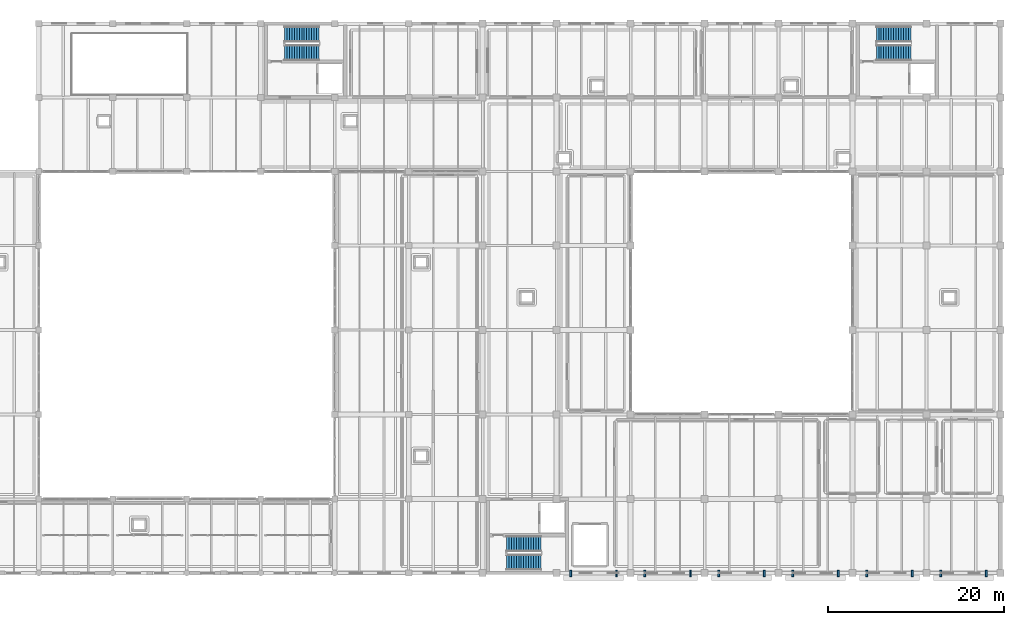
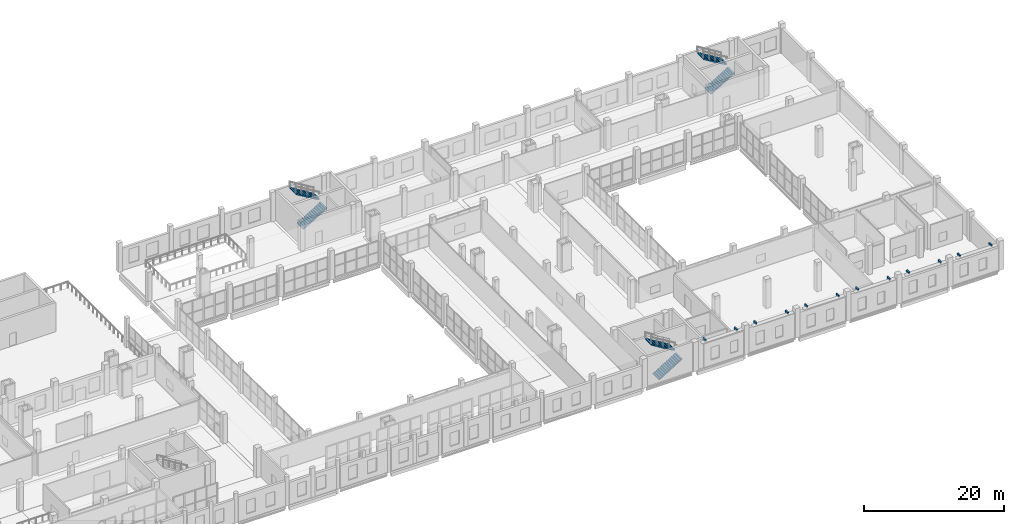
# One storey, part 64 of 73: 12 discrete accessories, 6 stair flights, 3 elements without a shape of their own.
"""IFC4 building model written with IfcOpenShell, lengths in metres."""

from ifc_helpers import new_model, si_unit, direction, frame, origin, origin_2d, place, context, subcontext, project, spatial, polyline, rectangle, outline, extrude, material, type_object, element, aggregate, save


model = new_model("IFC4")

# Units and contexts
model_context = context("Model", 3, precision=1e-05, world=origin(), true_north=direction((0.0, 1.0)))
body_context = subcontext(model_context, "Body", "Model", "MODEL_VIEW")
ifc_project = project(units=[si_unit("LENGTHUNIT", "METRE"), si_unit("AREAUNIT", "SQUARE_METRE"), si_unit("VOLUMEUNIT", "CUBIC_METRE"), si_unit("PLANEANGLEUNIT", "RADIAN"), si_unit("MASSUNIT", "GRAM", prefix="KILO")], contexts=[model_context])

# Site, building, storey
site_placement = place(None, origin())
site = spatial("IfcSite", under=ifc_project, at=site_placement, CompositionType="ELEMENT")
building_placement = place(site_placement, origin())
building = spatial("IfcBuilding", under=site, at=building_placement, Name="Zulmaris Art Gallery", CompositionType="ELEMENT")
storey_placement = place(building_placement, frame((0.0, 0.0, 10.5)))
storey = spatial("IfcBuildingStorey", under=building, at=storey_placement, Name="L02", CompositionType="ELEMENT", Elevation=10.5)

# Stair, stair flights
ifc_material_1 = material(Name="Concrete C40/50", Category="concrete")
stair_type = type_object("IfcStairType", Name="STAIR-CORE", PredefinedType="HALF_TURN_STAIR", material=ifc_material_1)
stair_1_placement = place(storey_placement, origin())
stair_1 = element("IfcStair", 1, at=stair_1_placement, inside=storey, type_object=stair_type, Name="L02 Exit Stair ST3", PredefinedType="HALF_TURN_STAIR")
stair_flight_type = type_object("IfcStairFlightType", Name="STFLT-CORE", PredefinedType="STRAIGHT", material=ifc_material_1)
stair_flight_1_placement = place(storey_placement, frame((144.300048828125, 14.425048828125, 0.0), z_axis=(0.0, 0.0, 1.0), x_axis=(1.0, 0.0, 0.0)))
stair_flight_1 = element("IfcStairFlight", 2, at=stair_flight_1_placement, type_object=stair_flight_type, Name="ST3 flight 1", NumberOfRisers=15, NumberOfTreads=14, PredefinedType="STRAIGHT", RiserHeight=0.17, TreadLength=0.28, context=body_context, shape_type="SweptSolid", body=[
    extrude(outline(polyline([(0.0, 0.0), (0.0, 0.169921875), (0.280029296875, 0.169921875), (0.280029296875, 0.340087890625), (0.56005859375, 0.340087890625), (0.56005859375, 0.510009765625), (0.840087890625, 0.510009765625), (0.840087890625, 0.679931640625), (1.1201171875, 0.679931640625), (1.1201171875, 0.85009765625), (1.39990234375, 0.85009765625), (1.39990234375, 1.02001953125), (1.679931640625, 1.02001953125), (1.679931640625, 1.18994140625), (1.9599609375, 1.18994140625), (1.9599609375, 1.360107421875), (2.239990234375, 1.360107421875), (2.239990234375, 1.530029296875), (2.52001953125, 1.530029296875), (2.52001953125, 1.699951171875), (2.800048828125, 1.699951171875), (2.800048828125, 1.8701171875), (3.080078125, 1.8701171875), (3.080078125, 2.0400390625), (3.360107421875, 2.0400390625), (3.360107421875, 2.2099609375), (3.639892578125, 2.2099609375), (3.639892578125, 2.3798828125), (3.919921875, 2.3798828125), (3.919921875, 2.550048828125), (3.919921875, 2.20458984375), (0.288818359375, 0.0), (0.0, 0.0)])), frame((0.0, 0.875, 0.0), z_axis=(0.0, -1.0, 0.0), x_axis=(1.0, 0.0, 0.0)), (0.0, 0.0, 1.0), 1.75),
])
stair_flight_2_placement = place(storey_placement, frame((148.219970703125, 16.514892578125, 2.550048828125), z_axis=(0.0, 0.0, 1.0), x_axis=(-1.0, 0.0, 0.0)))
stair_flight_2 = element("IfcStairFlight", 3, at=stair_flight_2_placement, type_object=stair_flight_type, Name="ST3 flight 2", NumberOfRisers=15, NumberOfTreads=14, PredefinedType="STRAIGHT", RiserHeight=0.17, TreadLength=0.28, context=body_context, shape_type="SweptSolid", body=[
    extrude(outline(polyline([(0.0, 0.0), (0.0, 0.169921875), (0.280029296875, 0.169921875), (0.280029296875, 0.340087890625), (0.56005859375, 0.340087890625), (0.56005859375, 0.510009765625), (0.840087890625, 0.510009765625), (0.840087890625, 0.679931640625), (1.1201171875, 0.679931640625), (1.1201171875, 0.85009765625), (1.39990234375, 0.85009765625), (1.39990234375, 1.02001953125), (1.679931640625, 1.02001953125), (1.679931640625, 1.18994140625), (1.9599609375, 1.18994140625), (1.9599609375, 1.360107421875), (2.239990234375, 1.360107421875), (2.239990234375, 1.530029296875), (2.52001953125, 1.530029296875), (2.52001953125, 1.699951171875), (2.800048828125, 1.699951171875), (2.800048828125, 1.8701171875), (3.080078125, 1.8701171875), (3.080078125, 2.0400390625), (3.360107421875, 2.0400390625), (3.360107421875, 2.2099609375), (3.639892578125, 2.2099609375), (3.639892578125, 2.3798828125), (3.919921875, 2.3798828125), (3.919921875, 2.550048828125), (3.919921875, 2.20458984375), (0.288818359375, 0.0), (0.0, 0.0)])), frame((0.0, 0.875, 0.0), z_axis=(0.0, -1.0, 0.0), x_axis=(1.0, 0.0, 0.0)), (0.0, 0.0, 1.0), 1.75),
])
aggregate(stair_1, [stair_flight_1, stair_flight_2])

stair_2_placement = place(storey_placement, origin())
stair_2 = element("IfcStair", 4, at=stair_2_placement, inside=storey, type_object=stair_type, Name="L02 Exit Stair ST4", PredefinedType="HALF_TURN_STAIR")
stair_flight_3_placement = place(storey_placement, frame((186.300048828125, 72.284912109375, 0.0), z_axis=(0.0, 0.0, 1.0), x_axis=(1.0, 0.0, 0.0)))
stair_flight_3 = element("IfcStairFlight", 5, at=stair_flight_3_placement, type_object=stair_flight_type, Name="ST4 flight 1", NumberOfRisers=15, NumberOfTreads=14, PredefinedType="STRAIGHT", RiserHeight=0.17, TreadLength=0.28, context=body_context, shape_type="SweptSolid", body=[
    extrude(outline(polyline([(0.0, 0.0), (0.0, 0.169921875), (0.280029296875, 0.169921875), (0.280029296875, 0.340087890625), (0.56005859375, 0.340087890625), (0.56005859375, 0.510009765625), (0.840087890625, 0.510009765625), (0.840087890625, 0.679931640625), (1.1201171875, 0.679931640625), (1.1201171875, 0.85009765625), (1.39990234375, 0.85009765625), (1.39990234375, 1.02001953125), (1.679931640625, 1.02001953125), (1.679931640625, 1.18994140625), (1.9599609375, 1.18994140625), (1.9599609375, 1.360107421875), (2.239990234375, 1.360107421875), (2.239990234375, 1.530029296875), (2.52001953125, 1.530029296875), (2.52001953125, 1.699951171875), (2.800048828125, 1.699951171875), (2.800048828125, 1.8701171875), (3.080078125, 1.8701171875), (3.080078125, 2.0400390625), (3.360107421875, 2.0400390625), (3.360107421875, 2.2099609375), (3.639892578125, 2.2099609375), (3.639892578125, 2.3798828125), (3.919921875, 2.3798828125), (3.919921875, 2.550048828125), (3.919921875, 2.20458984375), (0.288818359375, 0.0), (0.0, 0.0)])), frame((0.0, 0.875, 0.0), z_axis=(0.0, -1.0, 0.0), x_axis=(1.0, 0.0, 0.0)), (0.0, 0.0, 1.0), 1.75),
])
stair_flight_4_placement = place(storey_placement, frame((190.219970703125, 74.375, 2.550048828125), z_axis=(0.0, 0.0, 1.0), x_axis=(-1.0, 0.0, 0.0)))
stair_flight_4 = element("IfcStairFlight", 6, at=stair_flight_4_placement, type_object=stair_flight_type, Name="ST4 flight 2", NumberOfRisers=15, NumberOfTreads=14, PredefinedType="STRAIGHT", RiserHeight=0.17, TreadLength=0.28, context=body_context, shape_type="SweptSolid", body=[
    extrude(outline(polyline([(0.0, 0.0), (0.0, 0.169921875), (0.280029296875, 0.169921875), (0.280029296875, 0.340087890625), (0.56005859375, 0.340087890625), (0.56005859375, 0.510009765625), (0.840087890625, 0.510009765625), (0.840087890625, 0.679931640625), (1.1201171875, 0.679931640625), (1.1201171875, 0.85009765625), (1.39990234375, 0.85009765625), (1.39990234375, 1.02001953125), (1.679931640625, 1.02001953125), (1.679931640625, 1.18994140625), (1.9599609375, 1.18994140625), (1.9599609375, 1.360107421875), (2.239990234375, 1.360107421875), (2.239990234375, 1.530029296875), (2.52001953125, 1.530029296875), (2.52001953125, 1.699951171875), (2.800048828125, 1.699951171875), (2.800048828125, 1.8701171875), (3.080078125, 1.8701171875), (3.080078125, 2.0400390625), (3.360107421875, 2.0400390625), (3.360107421875, 2.2099609375), (3.639892578125, 2.2099609375), (3.639892578125, 2.3798828125), (3.919921875, 2.3798828125), (3.919921875, 2.550048828125), (3.919921875, 2.20458984375), (0.288818359375, 0.0), (0.0, 0.0)])), frame((0.0, 0.875, 0.0), z_axis=(0.0, -1.0, 0.0), x_axis=(1.0, 0.0, 0.0)), (0.0, 0.0, 1.0), 1.75),
])
aggregate(stair_2, [stair_flight_3, stair_flight_4])

stair_3_placement = place(storey_placement, origin())
stair_3 = element("IfcStair", 7, at=stair_3_placement, inside=storey, type_object=stair_type, Name="L02 Exit Stair ST5", PredefinedType="HALF_TURN_STAIR")
stair_flight_5_placement = place(storey_placement, frame((119.10009765625, 72.284912109375, 0.0), z_axis=(0.0, 0.0, 1.0), x_axis=(1.0, 0.0, 0.0)))
stair_flight_5 = element("IfcStairFlight", 8, at=stair_flight_5_placement, type_object=stair_flight_type, Name="ST5 flight 1", NumberOfRisers=15, NumberOfTreads=14, PredefinedType="STRAIGHT", RiserHeight=0.17, TreadLength=0.28, context=body_context, shape_type="SweptSolid", body=[
    extrude(outline(polyline([(0.0, 0.0), (0.0, 0.169921875), (0.280029296875, 0.169921875), (0.280029296875, 0.340087890625), (0.56005859375, 0.340087890625), (0.56005859375, 0.510009765625), (0.840087890625, 0.510009765625), (0.840087890625, 0.679931640625), (1.1201171875, 0.679931640625), (1.1201171875, 0.85009765625), (1.39990234375, 0.85009765625), (1.39990234375, 1.02001953125), (1.679931640625, 1.02001953125), (1.679931640625, 1.18994140625), (1.9599609375, 1.18994140625), (1.9599609375, 1.360107421875), (2.239990234375, 1.360107421875), (2.239990234375, 1.530029296875), (2.52001953125, 1.530029296875), (2.52001953125, 1.699951171875), (2.800048828125, 1.699951171875), (2.800048828125, 1.8701171875), (3.080078125, 1.8701171875), (3.080078125, 2.0400390625), (3.360107421875, 2.0400390625), (3.360107421875, 2.2099609375), (3.639892578125, 2.2099609375), (3.639892578125, 2.3798828125), (3.919921875, 2.3798828125), (3.919921875, 2.550048828125), (3.919921875, 2.20458984375), (0.288818359375, 0.0), (0.0, 0.0)])), frame((0.0, 0.875, 0.0), z_axis=(0.0, -1.0, 0.0), x_axis=(1.0, 0.0, 0.0)), (0.0, 0.0, 1.0), 1.75),
])
stair_flight_6_placement = place(storey_placement, frame((123.02001953125, 74.375, 2.550048828125), z_axis=(0.0, 0.0, 1.0), x_axis=(-1.0, 0.0, 0.0)))
stair_flight_6 = element("IfcStairFlight", 9, at=stair_flight_6_placement, type_object=stair_flight_type, Name="ST5 flight 2", NumberOfRisers=15, NumberOfTreads=14, PredefinedType="STRAIGHT", RiserHeight=0.17, TreadLength=0.28, context=body_context, shape_type="SweptSolid", body=[
    extrude(outline(polyline([(0.0, 0.0), (0.0, 0.169921875), (0.280029296875, 0.169921875), (0.280029296875, 0.340087890625), (0.56005859375, 0.340087890625), (0.56005859375, 0.510009765625), (0.840087890625, 0.510009765625), (0.840087890625, 0.679931640625), (1.1201171875, 0.679931640625), (1.1201171875, 0.85009765625), (1.39990234375, 0.85009765625), (1.39990234375, 1.02001953125), (1.679931640625, 1.02001953125), (1.679931640625, 1.18994140625), (1.9599609375, 1.18994140625), (1.9599609375, 1.360107421875), (2.239990234375, 1.360107421875), (2.239990234375, 1.530029296875), (2.52001953125, 1.530029296875), (2.52001953125, 1.699951171875), (2.800048828125, 1.699951171875), (2.800048828125, 1.8701171875), (3.080078125, 1.8701171875), (3.080078125, 2.0400390625), (3.360107421875, 2.0400390625), (3.360107421875, 2.2099609375), (3.639892578125, 2.2099609375), (3.639892578125, 2.3798828125), (3.919921875, 2.3798828125), (3.919921875, 2.550048828125), (3.919921875, 2.20458984375), (0.288818359375, 0.0), (0.0, 0.0)])), frame((0.0, 0.875, 0.0), z_axis=(0.0, -1.0, 0.0), x_axis=(1.0, 0.0, 0.0)), (0.0, 0.0, 1.0), 1.75),
])
aggregate(stair_3, [stair_flight_5, stair_flight_6])

# Discrete accessories
ifc_material_2 = material(Name="Steel S355J2", Category="steel")
discrete_accessory_type = type_object("IfcDiscreteAccessoryType", Name="ACC-BRK01", PredefinedType="BRACKET", material=ifc_material_2)
for number, where, z_axis, x_axis, name in (
    (10, (151.60009765625, 13.14990234375, 4.56982421875), (0.0, 0.0, 1.0), (1.0, 0.0, 0.0), "L02 Solar louvre bracket"),
    (11, (156.800048828125, 13.14990234375, 4.56982421875), (0.0, 0.0, 1.0), (1.0, 0.0, 0.0), "L02 Solar louvre bracket"),
    (12, (160.0, 13.14990234375, 4.56982421875), (0.0, 0.0, 1.0), (1.0, 0.0, 0.0), "L02 Solar louvre bracket"),
    (13, (165.199951171875, 13.14990234375, 4.56982421875), (0.0, 0.0, 1.0), (1.0, 0.0, 0.0), "L02 Solar louvre bracket"),
    (14, (168.39990234375, 13.14990234375, 4.56982421875), (0.0, 0.0, 1.0), (1.0, 0.0, 0.0), "L02 Solar louvre bracket"),
    (15, (173.60009765625, 13.14990234375, 4.56982421875), (0.0, 0.0, 1.0), (1.0, 0.0, 0.0), "L02 Solar louvre bracket"),
    (16, (176.800048828125, 13.14990234375, 4.56982421875), (0.0, 0.0, 1.0), (1.0, 0.0, 0.0), "L02 Solar louvre bracket"),
    (17, (182.0, 13.14990234375, 4.56982421875), (0.0, 0.0, 1.0), (1.0, 0.0, 0.0), "L02 Solar louvre bracket"),
    (18, (185.199951171875, 13.14990234375, 4.56982421875), (0.0, 0.0, 1.0), (1.0, 0.0, 0.0), "L02 Solar louvre bracket"),
    (19, (190.39990234375, 13.14990234375, 4.56982421875), (0.0, 0.0, 1.0), (1.0, 0.0, 0.0), "L02 Solar louvre bracket"),
    (20, (193.60009765625, 13.14990234375, 4.56982421875), (0.0, 0.0, 1.0), (1.0, 0.0, 0.0), "L02 Solar louvre bracket"),
    (21, (198.800048828125, 13.14990234375, 4.56982421875), (0.0, 0.0, 1.0), (1.0, 0.0, 0.0), "L02 Solar louvre bracket"),
):
    element("IfcDiscreteAccessory", number, at=place(storey_placement, frame(where, z_axis=z_axis, x_axis=x_axis)), inside=storey, type_object=discrete_accessory_type, Name=name, PredefinedType="BRACKET", context=body_context, shape_type="SweptSolid", body=[
        extrude(rectangle(XDim=0.219970703125, YDim=0.719970703125, at=origin_2d()), origin(), (0.0, 0.0, 1.0), 0.360107421875),
    ])

save(model, "model.ifc")
